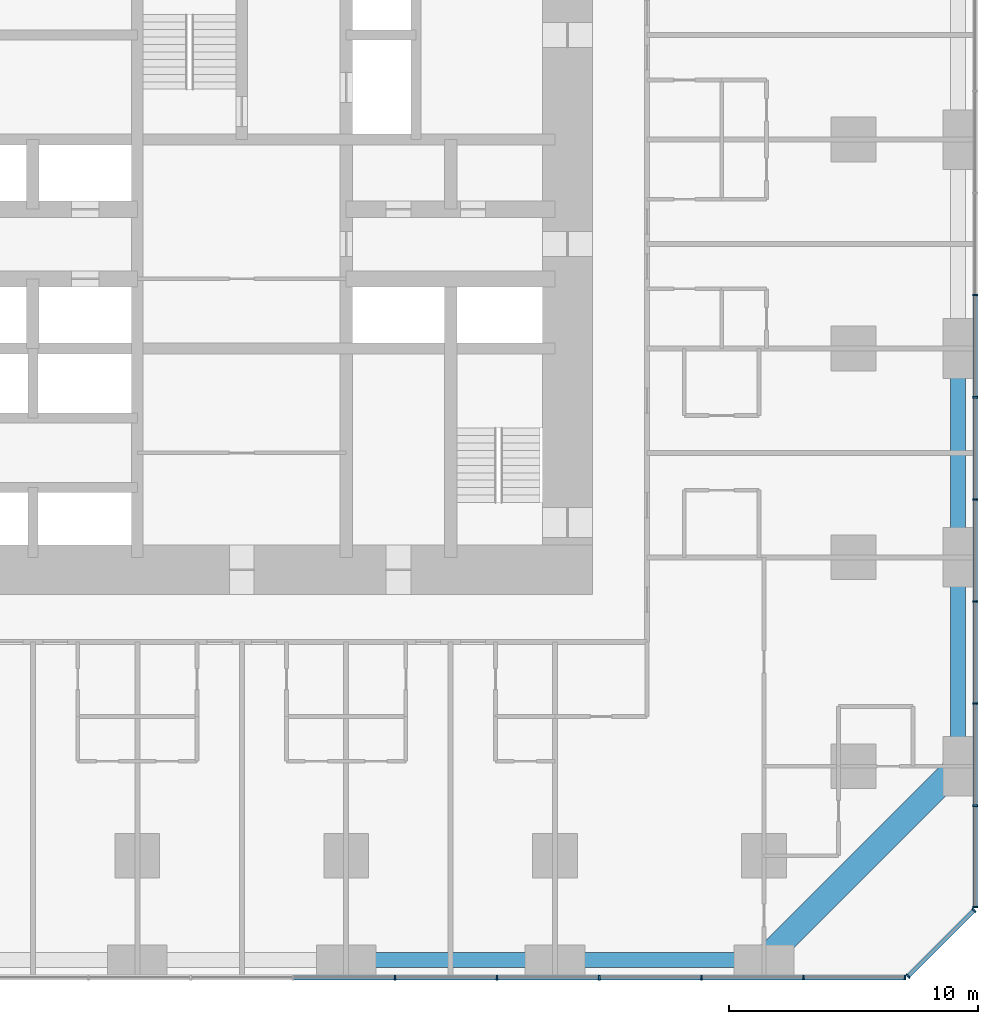
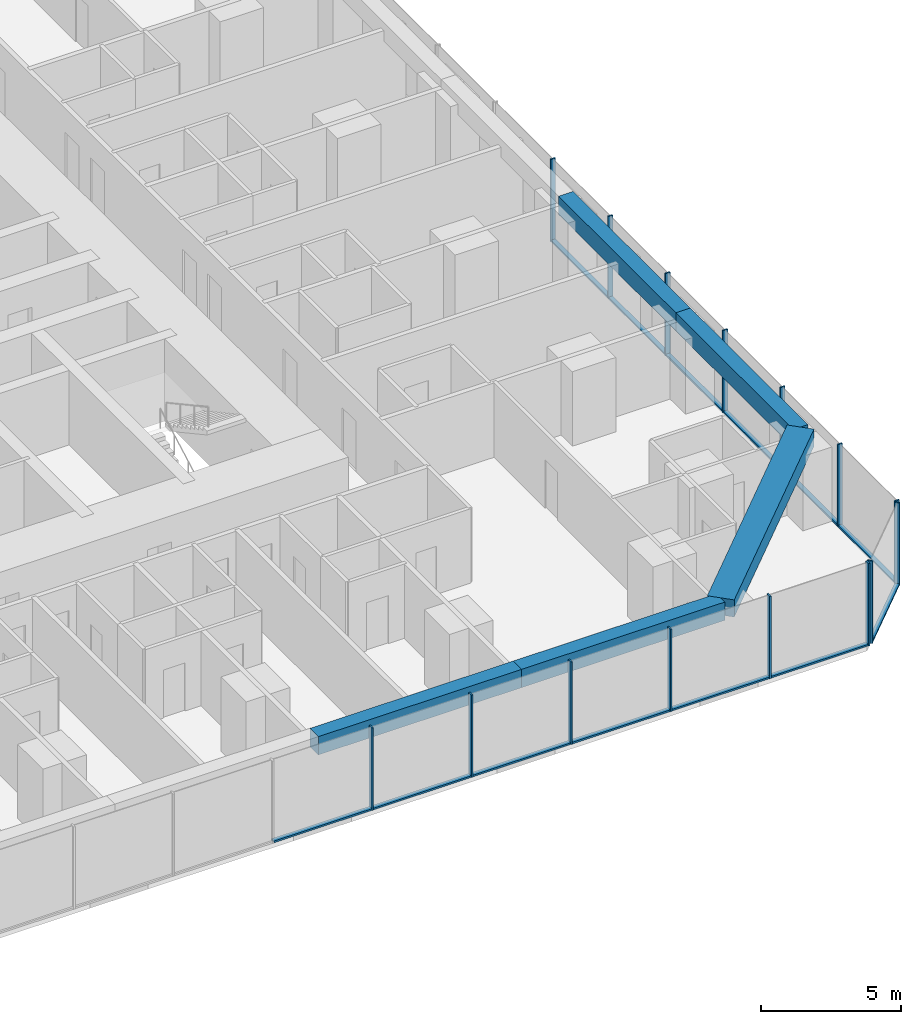
# One storey, part 4 of 18: 28 members, 5 beams, 3 elements without a shape of their own.
"""IFC4 building model written with IfcOpenShell, lengths in metres."""

from ifc_helpers import new_model, si_unit, direction, frame, origin, origin_2d, place, context, subcontext, project, spatial, rectangle, extrude, material, material_profile, profile_set, type_object, element, aggregate, save


model = new_model("IFC4")

# Units and contexts
model_context = context("Model", 3, precision=1e-05, world=origin(), true_north=direction((0.0, 1.0)))
body_context = subcontext(model_context, "Body", "Model", "MODEL_VIEW")
ifc_project = project(units=[si_unit("LENGTHUNIT", "METRE"), si_unit("AREAUNIT", "SQUARE_METRE"), si_unit("VOLUMEUNIT", "CUBIC_METRE"), si_unit("PLANEANGLEUNIT", "RADIAN"), si_unit("MASSUNIT", "GRAM", prefix="KILO")], contexts=[model_context])

# Site, building, storey
site_placement = place(None, origin())
site = spatial("IfcSite", under=ifc_project, at=site_placement, CompositionType="ELEMENT")
building_placement = place(site_placement, origin())
building = spatial("IfcBuilding", under=site, at=building_placement, Name="Dunama Terrace Hotel", CompositionType="ELEMENT")
storey_placement = place(building_placement, frame((0.0, 0.0, 27.0)))
storey = spatial("IfcBuildingStorey", under=building, at=storey_placement, Name="L05", CompositionType="ELEMENT", Elevation=27.0)

# Curtain wall, members
ifc_material_1 = material(Name="Aluminium curtain wall system", Category="aluminium")
curtain_wall_type = type_object("IfcCurtainWallType", Name="Unitised fritted glass wall CW-A", PredefinedType="NOTDEFINED", material=ifc_material_1)
curtain_wall_1_placement = place(storey_placement, origin())
curtain_wall_1 = element("IfcCurtainWall", 1, at=curtain_wall_1_placement, inside=storey, type_object=curtain_wall_type, Name="Unitised fritted glass wall CW-A L05", PredefinedType="NOTDEFINED")
ifc_material_2 = material(Name="Aluminium mullion", Category="aluminium")
ifc_material_profile_1 = material_profile(ifc_material_2, rectangle(XDim=0.06494140625, YDim=0.199951171875, at=origin_2d()), Name="CWA MULLION 65X200")
ifc_profile_set_1 = profile_set([ifc_material_profile_1], Name="Aluminium mullion")
member_type_1 = type_object("IfcMemberType", Name="CWA mullion 65x200", PredefinedType="MULLION", material=ifc_profile_set_1)
member_1_placement = place(storey_placement, frame((35.56201171875, -0.10009765625, 0.0), z_axis=(0.0, 0.0, 1.0), x_axis=(1.0, 0.0, 0.0)))
member_1 = element("IfcMember", 2, at=member_1_placement, type_object=member_type_1, Name="CWA mullion", PredefinedType="MULLION", context=body_context, shape_type="SweptSolid", body=[
    extrude(rectangle(XDim=0.06494140625, YDim=0.199951171875, at=origin_2d()), origin(), (0.0, 0.0, 1.0), 3.60009765625),
])
member_2_placement = place(storey_placement, frame((39.6689453125, -0.10009765625, 0.0), z_axis=(0.0, 0.0, 1.0), x_axis=(1.0, 0.0, 0.0)))
member_2 = element("IfcMember", 3, at=member_2_placement, type_object=member_type_1, Name="CWA mullion", PredefinedType="MULLION", context=body_context, shape_type="SweptSolid", body=[
    extrude(rectangle(XDim=0.06494140625, YDim=0.199951171875, at=origin_2d()), origin(), (0.0, 0.0, 1.0), 3.60009765625),
])
member_3_placement = place(storey_placement, frame((43.777099609375, -0.10009765625, 0.0), z_axis=(0.0, 0.0, 1.0), x_axis=(1.0, 0.0, 0.0)))
member_3 = element("IfcMember", 4, at=member_3_placement, type_object=member_type_1, Name="CWA mullion", PredefinedType="MULLION", context=body_context, shape_type="SweptSolid", body=[
    extrude(rectangle(XDim=0.06494140625, YDim=0.199951171875, at=origin_2d()), origin(), (0.0, 0.0, 1.0), 3.60009765625),
])
member_4_placement = place(storey_placement, frame((47.885009765625, -0.10009765625, 0.0), z_axis=(0.0, 0.0, 1.0), x_axis=(1.0, 0.0, 0.0)))
member_4 = element("IfcMember", 5, at=member_4_placement, type_object=member_type_1, Name="CWA mullion", PredefinedType="MULLION", context=body_context, shape_type="SweptSolid", body=[
    extrude(rectangle(XDim=0.06494140625, YDim=0.199951171875, at=origin_2d()), origin(), (0.0, 0.0, 1.0), 3.60009765625),
])
member_5_placement = place(storey_placement, frame((51.991943359375, -0.10009765625, 0.0), z_axis=(0.0, 0.0, 1.0), x_axis=(1.0, 0.0, 0.0)))
member_5 = element("IfcMember", 6, at=member_5_placement, type_object=member_type_1, Name="CWA mullion", PredefinedType="MULLION", context=body_context, shape_type="SweptSolid", body=[
    extrude(rectangle(XDim=0.06494140625, YDim=0.199951171875, at=origin_2d()), origin(), (0.0, 0.0, 1.0), 3.60009765625),
])
member_6_placement = place(storey_placement, frame((56.06689453125, -0.10009765625, 0.0), z_axis=(0.0, 0.0, 1.0), x_axis=(1.0, 0.0, 0.0)))
member_6 = element("IfcMember", 7, at=member_6_placement, type_object=member_type_1, Name="CWA mullion", PredefinedType="MULLION", context=body_context, shape_type="SweptSolid", body=[
    extrude(rectangle(XDim=0.06494140625, YDim=0.199951171875, at=origin_2d()), origin(), (0.0, 0.0, 1.0), 3.60009765625),
])

curtain_wall_2_placement = place(storey_placement, origin())
curtain_wall_2 = element("IfcCurtainWall", 8, at=curtain_wall_2_placement, inside=storey, type_object=curtain_wall_type, Name="Unitised fritted glass wall CW-A L05", PredefinedType="NOTDEFINED")
member_7_placement = place(storey_placement, frame((56.194091796875, -0.048095703125, 0.0), z_axis=(0.0, 0.0, 1.0), x_axis=(0.707106781187, 0.707106781187, 0.0)))
member_7 = element("IfcMember", 9, at=member_7_placement, type_object=member_type_1, Name="CWA mullion", PredefinedType="MULLION", context=body_context, shape_type="SweptSolid", body=[
    extrude(rectangle(XDim=0.06494140625, YDim=0.199951171875, at=origin_2d()), origin(), (0.0, 0.0, 1.0), 3.60009765625),
])
member_8_placement = place(storey_placement, frame((58.847900390625, 2.60595703125, 0.0), z_axis=(0.0, 0.0, 1.0), x_axis=(0.707106781187, 0.707106781187, 0.0)))
member_8 = element("IfcMember", 10, at=member_8_placement, type_object=member_type_1, Name="CWA mullion", PredefinedType="MULLION", context=body_context, shape_type="SweptSolid", body=[
    extrude(rectangle(XDim=0.06494140625, YDim=0.199951171875, at=origin_2d()), origin(), (0.0, 0.0, 1.0), 3.60009765625),
])

curtain_wall_3_placement = place(storey_placement, origin())
curtain_wall_3 = element("IfcCurtainWall", 11, at=curtain_wall_3_placement, inside=storey, type_object=curtain_wall_type, Name="Unitised fritted glass wall CW-A L05", PredefinedType="NOTDEFINED")
member_9_placement = place(storey_placement, frame((58.89990234375, 2.73291015625, 0.0), z_axis=(0.0, 0.0, 1.0), x_axis=(0.0, 1.0, 0.0)))
member_9 = element("IfcMember", 12, at=member_9_placement, type_object=member_type_1, Name="CWA mullion", PredefinedType="MULLION", context=body_context, shape_type="SweptSolid", body=[
    extrude(rectangle(XDim=0.06494140625, YDim=0.199951171875, at=origin_2d()), origin(), (0.0, 0.0, 1.0), 3.60009765625),
])
member_10_placement = place(storey_placement, frame((58.89990234375, 6.80810546875, 0.0), z_axis=(0.0, 0.0, 1.0), x_axis=(0.0, 1.0, 0.0)))
member_10 = element("IfcMember", 13, at=member_10_placement, type_object=member_type_1, Name="CWA mullion", PredefinedType="MULLION", context=body_context, shape_type="SweptSolid", body=[
    extrude(rectangle(XDim=0.06494140625, YDim=0.199951171875, at=origin_2d()), origin(), (0.0, 0.0, 1.0), 3.60009765625),
])
member_11_placement = place(storey_placement, frame((58.89990234375, 10.9150390625, 0.0), z_axis=(0.0, 0.0, 1.0), x_axis=(0.0, 1.0, 0.0)))
member_11 = element("IfcMember", 14, at=member_11_placement, type_object=member_type_1, Name="CWA mullion", PredefinedType="MULLION", context=body_context, shape_type="SweptSolid", body=[
    extrude(rectangle(XDim=0.06494140625, YDim=0.199951171875, at=origin_2d()), origin(), (0.0, 0.0, 1.0), 3.60009765625),
])
member_12_placement = place(storey_placement, frame((58.89990234375, 15.02294921875, 0.0), z_axis=(0.0, 0.0, 1.0), x_axis=(0.0, 1.0, 0.0)))
member_12 = element("IfcMember", 15, at=member_12_placement, type_object=member_type_1, Name="CWA mullion", PredefinedType="MULLION", context=body_context, shape_type="SweptSolid", body=[
    extrude(rectangle(XDim=0.06494140625, YDim=0.199951171875, at=origin_2d()), origin(), (0.0, 0.0, 1.0), 3.60009765625),
])
member_13_placement = place(storey_placement, frame((58.89990234375, 19.131103515625, 0.0), z_axis=(0.0, 0.0, 1.0), x_axis=(0.0, 1.0, 0.0)))
member_13 = element("IfcMember", 16, at=member_13_placement, type_object=member_type_1, Name="CWA mullion", PredefinedType="MULLION", context=body_context, shape_type="SweptSolid", body=[
    extrude(rectangle(XDim=0.06494140625, YDim=0.199951171875, at=origin_2d()), origin(), (0.0, 0.0, 1.0), 3.60009765625),
])
member_14_placement = place(storey_placement, frame((58.89990234375, 23.238037109375, 0.0), z_axis=(0.0, 0.0, 1.0), x_axis=(0.0, 1.0, 0.0)))
member_14 = element("IfcMember", 17, at=member_14_placement, type_object=member_type_1, Name="CWA mullion", PredefinedType="MULLION", context=body_context, shape_type="SweptSolid", body=[
    extrude(rectangle(XDim=0.06494140625, YDim=0.199951171875, at=origin_2d()), origin(), (0.0, 0.0, 1.0), 3.60009765625),
])
member_15_placement = place(storey_placement, frame((58.89990234375, 27.345947265625, 0.0), z_axis=(0.0, 0.0, 1.0), x_axis=(0.0, 1.0, 0.0)))
member_15 = element("IfcMember", 18, at=member_15_placement, type_object=member_type_1, Name="CWA mullion", PredefinedType="MULLION", context=body_context, shape_type="SweptSolid", body=[
    extrude(rectangle(XDim=0.06494140625, YDim=0.199951171875, at=origin_2d()), origin(), (0.0, 0.0, 1.0), 3.60009765625),
])

# Member
ifc_material_3 = material(Name="Aluminium transom", Category="aluminium")
ifc_material_profile_2 = material_profile(ifc_material_3, rectangle(XDim=0.179931640625, YDim=0.074951171875, at=origin_2d()), Name="CWA TRANSOM 180X75")
ifc_profile_set_2 = profile_set([ifc_material_profile_2], Name="Aluminium transom")
member_type_2 = type_object("IfcMemberType", Name="CWA transom 180x75", PredefinedType="USERDEFINED", material=ifc_profile_set_2)
member_16_placement = place(storey_placement, frame((31.486083984375, -0.10009765625, 0.03759765625), z_axis=(1.0, 0.0, 0.0), x_axis=(0.0, 1.0, 0.0)))
member_16 = element("IfcMember", 19, at=member_16_placement, type_object=member_type_2, Name="CWA transom", ObjectType="TRANSOM", PredefinedType="USERDEFINED", context=body_context, shape_type="SweptSolid", body=[
    extrude(rectangle(XDim=0.179931640625, YDim=0.074951171875, at=origin_2d()), origin(), (0.0, 0.0, 1.0), 4.04296875),
])

member_17_placement = place(storey_placement, frame((35.593994140625, -0.10009765625, 0.03759765625), z_axis=(1.0, 0.0, 0.0), x_axis=(0.0, 1.0, 0.0)))
member_17 = element("IfcMember", 20, at=member_17_placement, type_object=member_type_2, Name="CWA transom", ObjectType="TRANSOM", PredefinedType="USERDEFINED", context=body_context, shape_type="SweptSolid", body=[
    extrude(rectangle(XDim=0.179931640625, YDim=0.074951171875, at=origin_2d()), origin(), (0.0, 0.0, 1.0), 4.04296875),
])

member_18_placement = place(storey_placement, frame((39.701904296875, -0.10009765625, 0.03759765625), z_axis=(1.0, 0.0, 0.0), x_axis=(0.0, 1.0, 0.0)))
member_18 = element("IfcMember", 21, at=member_18_placement, type_object=member_type_2, Name="CWA transom", ObjectType="TRANSOM", PredefinedType="USERDEFINED", context=body_context, shape_type="SweptSolid", body=[
    extrude(rectangle(XDim=0.179931640625, YDim=0.074951171875, at=origin_2d()), origin(), (0.0, 0.0, 1.0), 4.0419921875),
])

member_19_placement = place(storey_placement, frame((43.80908203125, -0.10009765625, 0.03759765625), z_axis=(1.0, 0.0, 0.0), x_axis=(0.0, 1.0, 0.0)))
member_19 = element("IfcMember", 22, at=member_19_placement, type_object=member_type_2, Name="CWA transom", ObjectType="TRANSOM", PredefinedType="USERDEFINED", context=body_context, shape_type="SweptSolid", body=[
    extrude(rectangle(XDim=0.179931640625, YDim=0.074951171875, at=origin_2d()), origin(), (0.0, 0.0, 1.0), 4.04296875),
])

member_20_placement = place(storey_placement, frame((47.9169921875, -0.10009765625, 0.03759765625), z_axis=(1.0, 0.0, 0.0), x_axis=(0.0, 1.0, 0.0)))
member_20 = element("IfcMember", 23, at=member_20_placement, type_object=member_type_2, Name="CWA transom", ObjectType="TRANSOM", PredefinedType="USERDEFINED", context=body_context, shape_type="SweptSolid", body=[
    extrude(rectangle(XDim=0.179931640625, YDim=0.074951171875, at=origin_2d()), origin(), (0.0, 0.0, 1.0), 4.04296875),
])

member_21_placement = place(storey_placement, frame((52.02490234375, -0.10009765625, 0.03759765625), z_axis=(1.0, 0.0, 0.0), x_axis=(0.0, 1.0, 0.0)))
member_21 = element("IfcMember", 24, at=member_21_placement, type_object=member_type_2, Name="CWA transom", ObjectType="TRANSOM", PredefinedType="USERDEFINED", context=body_context, shape_type="SweptSolid", body=[
    extrude(rectangle(XDim=0.179931640625, YDim=0.074951171875, at=origin_2d()), origin(), (0.0, 0.0, 1.0), 4.010009765625),
])

aggregate(curtain_wall_1, [member_1, member_2, member_3, member_4, member_5, member_6, member_16, member_17, member_18, member_19, member_20, member_21])

member_22_placement = place(storey_placement, frame((56.217041015625, -0.02490234375, 0.03759765625), z_axis=(0.707106781187, 0.707106781187, 0.0), x_axis=(-0.707106781187, 0.707106781187, 0.0)))
member_22 = element("IfcMember", 25, at=member_22_placement, type_object=member_type_2, Name="CWA transom", ObjectType="TRANSOM", PredefinedType="USERDEFINED", context=body_context, shape_type="SweptSolid", body=[
    extrude(rectangle(XDim=0.179931640625, YDim=0.074951171875, at=origin_2d()), origin(), (0.0, 0.0, 1.0), 3.688232421875),
])

aggregate(curtain_wall_2, [member_7, member_8, member_22])

member_23_placement = place(storey_placement, frame((58.89990234375, 2.764892578125, 0.03759765625), z_axis=(0.0, 1.0, 0.0), x_axis=(-1.0, 0.0, 0.0)))
member_23 = element("IfcMember", 26, at=member_23_placement, type_object=member_type_2, Name="CWA transom", ObjectType="TRANSOM", PredefinedType="USERDEFINED", context=body_context, shape_type="SweptSolid", body=[
    extrude(rectangle(XDim=0.179931640625, YDim=0.074951171875, at=origin_2d()), origin(), (0.0, 0.0, 1.0), 4.010009765625),
])

member_24_placement = place(storey_placement, frame((58.89990234375, 6.840087890625, 0.03759765625), z_axis=(0.0, 1.0, 0.0), x_axis=(-1.0, 0.0, 0.0)))
member_24 = element("IfcMember", 27, at=member_24_placement, type_object=member_type_2, Name="CWA transom", ObjectType="TRANSOM", PredefinedType="USERDEFINED", context=body_context, shape_type="SweptSolid", body=[
    extrude(rectangle(XDim=0.179931640625, YDim=0.074951171875, at=origin_2d()), origin(), (0.0, 0.0, 1.0), 4.04296875),
])

member_25_placement = place(storey_placement, frame((58.89990234375, 10.947998046875, 0.03759765625), z_axis=(0.0, 1.0, 0.0), x_axis=(-1.0, 0.0, 0.0)))
member_25 = element("IfcMember", 28, at=member_25_placement, type_object=member_type_2, Name="CWA transom", ObjectType="TRANSOM", PredefinedType="USERDEFINED", context=body_context, shape_type="SweptSolid", body=[
    extrude(rectangle(XDim=0.179931640625, YDim=0.074951171875, at=origin_2d()), origin(), (0.0, 0.0, 1.0), 4.04296875),
])

member_26_placement = place(storey_placement, frame((58.89990234375, 15.055908203125, 0.03759765625), z_axis=(0.0, 1.0, 0.0), x_axis=(-1.0, 0.0, 0.0)))
member_26 = element("IfcMember", 29, at=member_26_placement, type_object=member_type_2, Name="CWA transom", ObjectType="TRANSOM", PredefinedType="USERDEFINED", context=body_context, shape_type="SweptSolid", body=[
    extrude(rectangle(XDim=0.179931640625, YDim=0.074951171875, at=origin_2d()), origin(), (0.0, 0.0, 1.0), 4.0419921875),
])

member_27_placement = place(storey_placement, frame((58.89990234375, 19.1630859375, 0.03759765625), z_axis=(0.0, 1.0, 0.0), x_axis=(-1.0, 0.0, 0.0)))
member_27 = element("IfcMember", 30, at=member_27_placement, type_object=member_type_2, Name="CWA transom", ObjectType="TRANSOM", PredefinedType="USERDEFINED", context=body_context, shape_type="SweptSolid", body=[
    extrude(rectangle(XDim=0.179931640625, YDim=0.074951171875, at=origin_2d()), origin(), (0.0, 0.0, 1.0), 4.04296875),
])

member_28_placement = place(storey_placement, frame((58.89990234375, 23.27099609375, 0.03759765625), z_axis=(0.0, 1.0, 0.0), x_axis=(-1.0, 0.0, 0.0)))
member_28 = element("IfcMember", 31, at=member_28_placement, type_object=member_type_2, Name="CWA transom", ObjectType="TRANSOM", PredefinedType="USERDEFINED", context=body_context, shape_type="SweptSolid", body=[
    extrude(rectangle(XDim=0.179931640625, YDim=0.074951171875, at=origin_2d()), origin(), (0.0, 0.0, 1.0), 4.04296875),
])

aggregate(curtain_wall_3, [member_9, member_10, member_11, member_12, member_13, member_14, member_15, member_23, member_24, member_25, member_26, member_27, member_28])

# Beams
ifc_material_4 = material(Name="Concrete C50/60", Category="concrete")
ifc_material_profile_3 = material_profile(ifc_material_4, rectangle(XDim=1.0, YDim=0.75, at=origin_2d()), Name="RC 1000x750")
ifc_profile_set_3 = profile_set([ifc_material_profile_3], Name="Concrete C50/60")
beam_type_1 = type_object("IfcBeamType", Name="Edge beam RC 1000x750", PredefinedType="SPANDREL", material=ifc_profile_set_3)
beam_1_placement = place(storey_placement, frame((50.39990234375, 0.60009765625, 3.22509765625), z_axis=(0.707117847453, 0.707095714747, 0.0), x_axis=(-0.707095714747, 0.707117847453, 0.0)))
element("IfcBeam", 32, at=beam_1_placement, inside=storey, type_object=beam_type_1, Name="Corner edge beam under L06", PredefinedType="SPANDREL", context=body_context, shape_type="SweptSolid", body=[
    extrude(rectangle(XDim=1.0, YDim=0.75, at=origin_2d()), origin(), (0.0, 0.0, 1.0), 11.03076171875),
])
ifc_material_5 = material(Name="Concrete C40/50", Category="concrete")
ifc_material_profile_4 = material_profile(ifc_material_5, rectangle(XDim=0.60009765625, YDim=0.800048828125, at=origin_2d()), Name="RC 600x800")
ifc_profile_set_4 = profile_set([ifc_material_profile_4], Name="Concrete C40/50")
beam_type_2 = type_object("IfcBeamType", Name="Edge beam RC 600x800", PredefinedType="SPANDREL", material=ifc_profile_set_4)
beam_2_placement = place(storey_placement, frame((58.199951171875, 8.39990234375, 3.199951171875), z_axis=(0.0, 1.0, 0.0), x_axis=(-1.0, 0.0, 0.0)))
element("IfcBeam", 33, at=beam_2_placement, inside=storey, type_object=beam_type_2, Name="Edge beam under L06", PredefinedType="SPANDREL", context=body_context, shape_type="SweptSolid", body=[
    extrude(rectangle(XDim=0.60009765625, YDim=0.800048828125, at=origin_2d()), origin(), (0.0, 0.0, 1.0), 8.400146484375),
])
for number, where, z_axis, x_axis, name in (
    (34, (58.199951171875, 16.800048828125, 3.199951171875), (0.0, 1.0, 0.0), (-1.0, 0.0, 0.0), "Edge beam under L06"),
    (35, (33.60009765625, 0.60009765625, 3.199951171875), (1.0, 0.0, 0.0), (0.0, 1.0, 0.0), "Edge beam under L06"),
    (36, (42.0, 0.60009765625, 3.199951171875), (1.0, 0.0, 0.0), (0.0, 1.0, 0.0), "Edge beam under L06"),
):
    element("IfcBeam", number, at=place(storey_placement, frame(where, z_axis=z_axis, x_axis=x_axis)), inside=storey, type_object=beam_type_2, Name=name, PredefinedType="SPANDREL", context=body_context, shape_type="SweptSolid", body=[
        extrude(rectangle(XDim=0.60009765625, YDim=0.800048828125, at=origin_2d()), origin(), (0.0, 0.0, 1.0), 8.39990234375),
    ])

save(model, "model.ifc")
